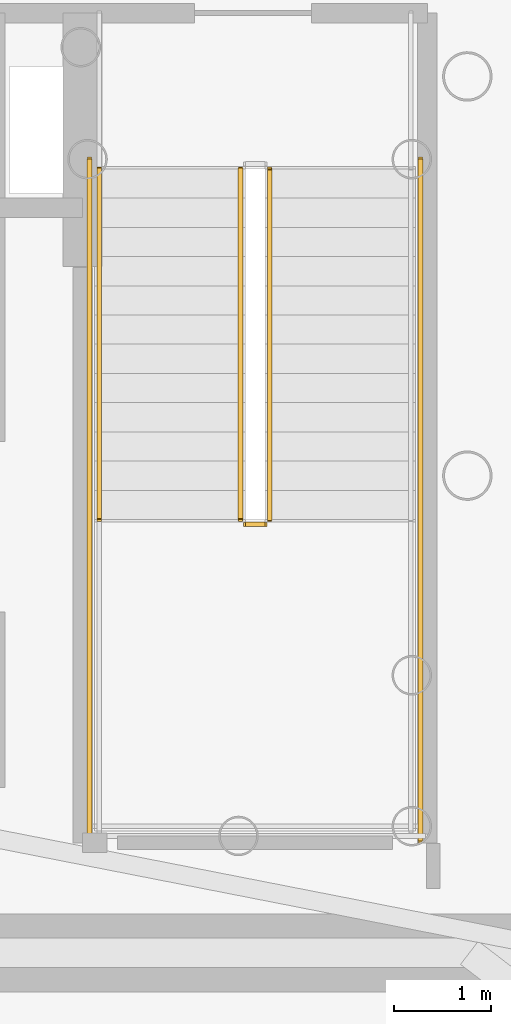
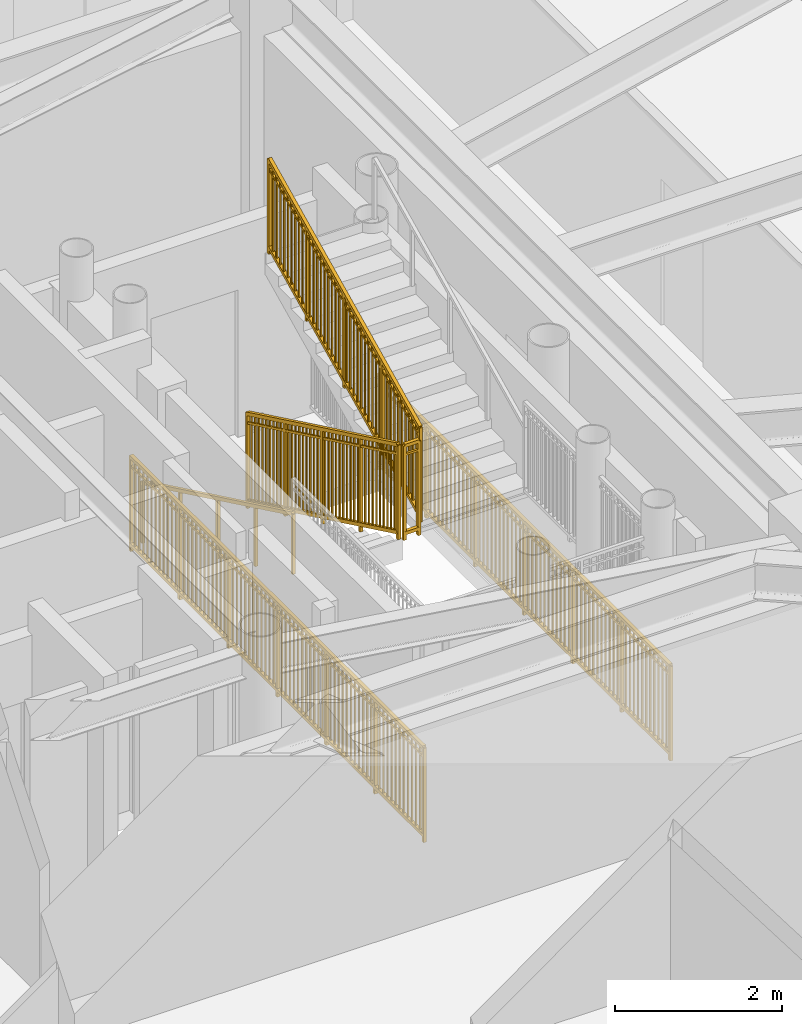
# One storey, part 17 of 18: 6 railings.
"""IFC4 building model written with IfcOpenShell, lengths in metres."""

from ifc_helpers import new_model, si_unit, direction, frame, origin, origin_2d, place, context, subcontext, project, spatial, rectangle, extrude, source, transform, mapped, material, type_object, element, save


model = new_model("IFC4")

# Units and contexts
model_context = context("Model", 3, precision=1e-05, world=origin(), true_north=direction((0.0, 1.0)))
body_context = subcontext(model_context, "Body", "Model", "MODEL_VIEW")
ifc_project = project(units=[si_unit("LENGTHUNIT", "METRE"), si_unit("AREAUNIT", "SQUARE_METRE"), si_unit("VOLUMEUNIT", "CUBIC_METRE"), si_unit("PLANEANGLEUNIT", "RADIAN"), si_unit("MASSUNIT", "GRAM", prefix="KILO")], contexts=[model_context])

# Site, building, storey
site_placement = place(None, origin())
site = spatial("IfcSite", under=ifc_project, at=site_placement, CompositionType="ELEMENT")
building_placement = place(site_placement, origin())
building = spatial("IfcBuilding", under=site, at=building_placement, Name="Linh Dai School and Residence Tower", CompositionType="ELEMENT")
storey_placement = place(building_placement, frame((0.0, 0.0, 123.449951171875)))
storey = spatial("IfcBuildingStorey", under=building, at=storey_placement, Name="L29", CompositionType="ELEMENT", Elevation=123.449951171875)

# Railings
ifc_material_1 = material(Name="Structural Steel S355JR", Category="steel")
railing_type_1 = type_object("IfcRailingType", Name="RL-ST-GUARD-1400", PredefinedType="GUARDRAIL", material=ifc_material_1)
shared_shape_1 = source(origin(), body_context, "Body", "SweptSolid", [
    extrude(rectangle(XDim=0.048095703125, YDim=0.048095703125, at=origin_2d()), frame((0.0, 0.0, 1.3759765625), z_axis=(0.0, 0.901262522062, 0.433273431364), x_axis=(-1.0, 0.0, 0.0)), (0.0, 0.0, 1.0), 3.994384765625),
    extrude(rectangle(XDim=0.048095703125, YDim=0.048095703125, at=origin_2d()), frame((0.0, 0.0, 0.10009765625), z_axis=(0.0, 0.901262522062, 0.433273431364), x_axis=(-1.0, 0.0, 0.0)), (0.0, 0.0, 1.0), 3.994384765625),
    extrude(rectangle(XDim=0.030029296875, YDim=0.030029296875, at=origin_2d()), frame((0.0, 0.0, 1.239990234375), z_axis=(0.0, 0.901262522062, 0.433273431364), x_axis=(-1.0, 0.0, 0.0)), (0.0, 0.0, 1.0), 3.994384765625),
    extrude(rectangle(XDim=0.02001953125, YDim=0.02001953125, at=origin_2d()), frame((0.0, 0.087890625, 0.142333984375)), (0.0, 0.0, 1.0), 1.251708984375),
    extrude(rectangle(XDim=0.02001953125, YDim=0.02001953125, at=origin_2d()), frame((0.0, 0.175537109375, 0.1845703125)), (0.0, 0.0, 1.0), 1.251708984375),
    extrude(rectangle(XDim=0.02001953125, YDim=0.02001953125, at=origin_2d()), frame((0.0, 0.263427734375, 0.226806640625)), (0.0, 0.0, 1.0), 1.251708984375),
    extrude(rectangle(XDim=0.02001953125, YDim=0.02001953125, at=origin_2d()), frame((0.0, 0.351318359375, 0.26904296875)), (0.0, 0.0, 1.0), 1.251708984375),
    extrude(rectangle(XDim=0.02001953125, YDim=0.02001953125, at=origin_2d()), frame((0.0, 0.43896484375, 0.311279296875)), (0.0, 0.0, 1.0), 1.251708984375),
    extrude(rectangle(XDim=0.02001953125, YDim=0.02001953125, at=origin_2d()), frame((0.0, 0.52685546875, 0.353271484375)), (0.0, 0.0, 1.0), 1.251708984375),
    extrude(rectangle(XDim=0.02001953125, YDim=0.02001953125, at=origin_2d()), frame((0.0, 0.61474609375, 0.3955078125)), (0.0, 0.0, 1.0), 1.251708984375),
    extrude(rectangle(XDim=0.02001953125, YDim=0.02001953125, at=origin_2d()), frame((0.0, 0.702392578125, 0.437744140625)), (0.0, 0.0, 1.0), 1.251708984375),
    extrude(rectangle(XDim=0.02001953125, YDim=0.02001953125, at=origin_2d()), frame((0.0, 0.790283203125, 0.47998046875)), (0.0, 0.0, 1.0), 1.251708984375),
    extrude(rectangle(XDim=0.02001953125, YDim=0.02001953125, at=origin_2d()), frame((0.0, 0.9658203125, 0.564453125)), (0.0, 0.0, 1.0), 1.251708984375),
    extrude(rectangle(XDim=0.02001953125, YDim=0.02001953125, at=origin_2d()), frame((0.0, 1.0537109375, 0.606689453125)), (0.0, 0.0, 1.0), 1.251708984375),
    extrude(rectangle(XDim=0.02001953125, YDim=0.02001953125, at=origin_2d()), frame((0.0, 1.1416015625, 0.64892578125)), (0.0, 0.0, 1.0), 1.251708984375),
    extrude(rectangle(XDim=0.02001953125, YDim=0.02001953125, at=origin_2d()), frame((0.0, 1.229248046875, 0.691162109375)), (0.0, 0.0, 1.0), 1.251708984375),
    extrude(rectangle(XDim=0.02001953125, YDim=0.02001953125, at=origin_2d()), frame((0.0, 1.317138671875, 0.7333984375)), (0.0, 0.0, 1.0), 1.251708984375),
    extrude(rectangle(XDim=0.02001953125, YDim=0.02001953125, at=origin_2d()), frame((0.0, 1.405029296875, 0.775390625)), (0.0, 0.0, 1.0), 1.251708984375),
    extrude(rectangle(XDim=0.02001953125, YDim=0.02001953125, at=origin_2d()), frame((0.0, 1.49267578125, 0.817626953125)), (0.0, 0.0, 1.0), 1.251708984375),
    extrude(rectangle(XDim=0.02001953125, YDim=0.02001953125, at=origin_2d()), frame((0.0, 1.58056640625, 0.85986328125)), (0.0, 0.0, 1.0), 1.251708984375),
    extrude(rectangle(XDim=0.02001953125, YDim=0.02001953125, at=origin_2d()), frame((0.0, 1.66845703125, 0.902099609375)), (0.0, 0.0, 1.0), 1.251708984375),
    extrude(rectangle(XDim=0.02001953125, YDim=0.02001953125, at=origin_2d()), frame((0.0, 1.756103515625, 0.9443359375)), (0.0, 0.0, 1.0), 1.251708984375),
    extrude(rectangle(XDim=0.02001953125, YDim=0.02001953125, at=origin_2d()), frame((0.0, 1.843994140625, 0.986572265625)), (0.0, 0.0, 1.0), 1.251708984375),
    extrude(rectangle(XDim=0.02001953125, YDim=0.02001953125, at=origin_2d()), frame((0.0, 1.931640625, 1.02880859375)), (0.0, 0.0, 1.0), 1.251708984375),
    extrude(rectangle(XDim=0.02001953125, YDim=0.02001953125, at=origin_2d()), frame((0.0, 2.01953125, 1.071044921875)), (0.0, 0.0, 1.0), 1.251708984375),
    extrude(rectangle(XDim=0.02001953125, YDim=0.02001953125, at=origin_2d()), frame((0.0, 2.107421875, 1.11328125)), (0.0, 0.0, 1.0), 1.251708984375),
    extrude(rectangle(XDim=0.02001953125, YDim=0.02001953125, at=origin_2d()), frame((0.0, 2.195068359375, 1.155517578125)), (0.0, 0.0, 1.0), 1.251708984375),
    extrude(rectangle(XDim=0.02001953125, YDim=0.02001953125, at=origin_2d()), frame((0.0, 2.282958984375, 1.197509765625)), (0.0, 0.0, 1.0), 1.251708984375),
    extrude(rectangle(XDim=0.02001953125, YDim=0.02001953125, at=origin_2d()), frame((0.0, 2.370849609375, 1.23974609375)), (0.0, 0.0, 1.0), 1.251708984375),
    extrude(rectangle(XDim=0.02001953125, YDim=0.02001953125, at=origin_2d()), frame((0.0, 2.45849609375, 1.281982421875)), (0.0, 0.0, 1.0), 1.251708984375),
    extrude(rectangle(XDim=0.02001953125, YDim=0.02001953125, at=origin_2d()), frame((0.0, 2.54638671875, 1.32421875)), (0.0, 0.0, 1.0), 1.251708984375),
    extrude(rectangle(XDim=0.02001953125, YDim=0.02001953125, at=origin_2d()), frame((0.0, 2.63427734375, 1.366455078125)), (0.0, 0.0, 1.0), 1.251708984375),
    extrude(rectangle(XDim=0.02001953125, YDim=0.02001953125, at=origin_2d()), frame((0.0, 2.809814453125, 1.450927734375)), (0.0, 0.0, 1.0), 1.251708984375),
    extrude(rectangle(XDim=0.02001953125, YDim=0.02001953125, at=origin_2d()), frame((0.0, 2.897705078125, 1.4931640625)), (0.0, 0.0, 1.0), 1.251708984375),
    extrude(rectangle(XDim=0.02001953125, YDim=0.02001953125, at=origin_2d()), frame((0.0, 2.9853515625, 1.535400390625)), (0.0, 0.0, 1.0), 1.251708984375),
    extrude(rectangle(XDim=0.02001953125, YDim=0.02001953125, at=origin_2d()), frame((0.0, 3.0732421875, 1.57763671875)), (0.0, 0.0, 1.0), 1.251708984375),
    extrude(rectangle(XDim=0.02001953125, YDim=0.02001953125, at=origin_2d()), frame((0.0, 3.1611328125, 1.61962890625)), (0.0, 0.0, 1.0), 1.251708984375),
    extrude(rectangle(XDim=0.02001953125, YDim=0.02001953125, at=origin_2d()), frame((0.0, 3.248779296875, 1.661865234375)), (0.0, 0.0, 1.0), 1.251708984375),
    extrude(rectangle(XDim=0.02001953125, YDim=0.02001953125, at=origin_2d()), frame((0.0, 3.336669921875, 1.7041015625)), (0.0, 0.0, 1.0), 1.251708984375),
    extrude(rectangle(XDim=0.02001953125, YDim=0.02001953125, at=origin_2d()), frame((0.0, 3.424560546875, 1.746337890625)), (0.0, 0.0, 1.0), 1.251708984375),
    extrude(rectangle(XDim=0.02001953125, YDim=0.02001953125, at=origin_2d()), frame((0.0, 3.51220703125, 1.78857421875)), (0.0, 0.0, 1.0), 1.251708984375),
    extrude(rectangle(XDim=0.0419921875, YDim=0.0419921875, at=origin_2d()), origin(), (0.0, 0.0, 1.0), 1.3759765625),
    extrude(rectangle(XDim=0.0419921875, YDim=0.0419921875, at=origin_2d()), frame((0.0, 0.89990234375, 0.4326171875)), (0.0, 0.0, 1.0), 1.3759765625),
    extrude(rectangle(XDim=0.0419921875, YDim=0.0419921875, at=origin_2d()), frame((0.0, 1.800048828125, 0.865234375)), (0.0, 0.0, 1.0), 1.3759765625),
    extrude(rectangle(XDim=0.0419921875, YDim=0.0419921875, at=origin_2d()), frame((0.0, 2.7001953125, 1.298095703125)), (0.0, 0.0, 1.0), 1.3759765625),
    extrude(rectangle(XDim=0.0419921875, YDim=0.0419921875, at=origin_2d()), frame((0.0, 3.60009765625, 1.730712890625)), (0.0, 0.0, 1.0), 1.3759765625),
])
railing_1_placement = place(storey_placement, frame((42.820068359375, 24.64990234375, 2.019287109375)))
element("IfcRailing", 1, at=railing_1_placement, inside=storey, type_object=railing_type_1, Name="L29 ST2 stair guard 6", PredefinedType="GUARDRAIL", context=body_context, shape_type="MappedRepresentation", body=[
    mapped(shared_shape_1, transform((0.0, 0.0, 0.0), x_axis=(1.0, 0.0, 0.0), y_axis=(0.0, 1.0, 0.0), z_axis=(0.0, 0.0, 1.0), scale=1.0)),
])
shared_shape_2 = source(origin(), body_context, "Body", "SweptSolid", [
    extrude(rectangle(XDim=0.048095703125, YDim=0.048095703125, at=origin_2d()), frame((0.0, 0.0, 1.3759765625), z_axis=(0.0, -0.901262522062, 0.433273431364), x_axis=(1.0, 0.0, 0.0)), (0.0, 0.0, 1.0), 3.994384765625),
    extrude(rectangle(XDim=0.048095703125, YDim=0.048095703125, at=origin_2d()), frame((0.0, 0.0, 0.10009765625), z_axis=(0.0, -0.901262522062, 0.433273431364), x_axis=(1.0, 0.0, 0.0)), (0.0, 0.0, 1.0), 3.994384765625),
    extrude(rectangle(XDim=0.030029296875, YDim=0.030029296875, at=origin_2d()), frame((0.0, 0.0, 1.239990234375), z_axis=(0.0, -0.901262522062, 0.433273431364), x_axis=(1.0, 0.0, 0.0)), (0.0, 0.0, 1.0), 3.994384765625),
    extrude(rectangle(XDim=0.02001953125, YDim=0.02001953125, at=origin_2d()), frame((0.0, -0.087890625, 0.142333984375)), (0.0, 0.0, 1.0), 1.251708984375),
    extrude(rectangle(XDim=0.02001953125, YDim=0.02001953125, at=origin_2d()), frame((0.0, -0.175537109375, 0.1845703125)), (0.0, 0.0, 1.0), 1.251708984375),
    extrude(rectangle(XDim=0.02001953125, YDim=0.02001953125, at=origin_2d()), frame((0.0, -0.263427734375, 0.226806640625)), (0.0, 0.0, 1.0), 1.251708984375),
    extrude(rectangle(XDim=0.02001953125, YDim=0.02001953125, at=origin_2d()), frame((0.0, -0.351318359375, 0.26904296875)), (0.0, 0.0, 1.0), 1.251708984375),
    extrude(rectangle(XDim=0.02001953125, YDim=0.02001953125, at=origin_2d()), frame((0.0, -0.43896484375, 0.311279296875)), (0.0, 0.0, 1.0), 1.251708984375),
    extrude(rectangle(XDim=0.02001953125, YDim=0.02001953125, at=origin_2d()), frame((0.0, -0.52685546875, 0.353271484375)), (0.0, 0.0, 1.0), 1.251708984375),
    extrude(rectangle(XDim=0.02001953125, YDim=0.02001953125, at=origin_2d()), frame((0.0, -0.61474609375, 0.3955078125)), (0.0, 0.0, 1.0), 1.251708984375),
    extrude(rectangle(XDim=0.02001953125, YDim=0.02001953125, at=origin_2d()), frame((0.0, -0.702392578125, 0.437744140625)), (0.0, 0.0, 1.0), 1.251708984375),
    extrude(rectangle(XDim=0.02001953125, YDim=0.02001953125, at=origin_2d()), frame((0.0, -0.790283203125, 0.47998046875)), (0.0, 0.0, 1.0), 1.251708984375),
    extrude(rectangle(XDim=0.02001953125, YDim=0.02001953125, at=origin_2d()), frame((0.0, -0.9658203125, 0.564453125)), (0.0, 0.0, 1.0), 1.251708984375),
    extrude(rectangle(XDim=0.02001953125, YDim=0.02001953125, at=origin_2d()), frame((0.0, -1.0537109375, 0.606689453125)), (0.0, 0.0, 1.0), 1.251708984375),
    extrude(rectangle(XDim=0.02001953125, YDim=0.02001953125, at=origin_2d()), frame((0.0, -1.1416015625, 0.64892578125)), (0.0, 0.0, 1.0), 1.251708984375),
    extrude(rectangle(XDim=0.02001953125, YDim=0.02001953125, at=origin_2d()), frame((0.0, -1.229248046875, 0.691162109375)), (0.0, 0.0, 1.0), 1.251708984375),
    extrude(rectangle(XDim=0.02001953125, YDim=0.02001953125, at=origin_2d()), frame((0.0, -1.317138671875, 0.7333984375)), (0.0, 0.0, 1.0), 1.251708984375),
    extrude(rectangle(XDim=0.02001953125, YDim=0.02001953125, at=origin_2d()), frame((0.0, -1.405029296875, 0.775390625)), (0.0, 0.0, 1.0), 1.251708984375),
    extrude(rectangle(XDim=0.02001953125, YDim=0.02001953125, at=origin_2d()), frame((0.0, -1.49267578125, 0.817626953125)), (0.0, 0.0, 1.0), 1.251708984375),
    extrude(rectangle(XDim=0.02001953125, YDim=0.02001953125, at=origin_2d()), frame((0.0, -1.58056640625, 0.85986328125)), (0.0, 0.0, 1.0), 1.251708984375),
    extrude(rectangle(XDim=0.02001953125, YDim=0.02001953125, at=origin_2d()), frame((0.0, -1.66845703125, 0.902099609375)), (0.0, 0.0, 1.0), 1.251708984375),
    extrude(rectangle(XDim=0.02001953125, YDim=0.02001953125, at=origin_2d()), frame((0.0, -1.756103515625, 0.9443359375)), (0.0, 0.0, 1.0), 1.251708984375),
    extrude(rectangle(XDim=0.02001953125, YDim=0.02001953125, at=origin_2d()), frame((0.0, -1.843994140625, 0.986572265625)), (0.0, 0.0, 1.0), 1.251708984375),
    extrude(rectangle(XDim=0.02001953125, YDim=0.02001953125, at=origin_2d()), frame((0.0, -1.931640625, 1.02880859375)), (0.0, 0.0, 1.0), 1.251708984375),
    extrude(rectangle(XDim=0.02001953125, YDim=0.02001953125, at=origin_2d()), frame((0.0, -2.01953125, 1.071044921875)), (0.0, 0.0, 1.0), 1.251708984375),
    extrude(rectangle(XDim=0.02001953125, YDim=0.02001953125, at=origin_2d()), frame((0.0, -2.107421875, 1.11328125)), (0.0, 0.0, 1.0), 1.251708984375),
    extrude(rectangle(XDim=0.02001953125, YDim=0.02001953125, at=origin_2d()), frame((0.0, -2.195068359375, 1.155517578125)), (0.0, 0.0, 1.0), 1.251708984375),
    extrude(rectangle(XDim=0.02001953125, YDim=0.02001953125, at=origin_2d()), frame((0.0, -2.282958984375, 1.197509765625)), (0.0, 0.0, 1.0), 1.251708984375),
    extrude(rectangle(XDim=0.02001953125, YDim=0.02001953125, at=origin_2d()), frame((0.0, -2.370849609375, 1.23974609375)), (0.0, 0.0, 1.0), 1.251708984375),
    extrude(rectangle(XDim=0.02001953125, YDim=0.02001953125, at=origin_2d()), frame((0.0, -2.45849609375, 1.281982421875)), (0.0, 0.0, 1.0), 1.251708984375),
    extrude(rectangle(XDim=0.02001953125, YDim=0.02001953125, at=origin_2d()), frame((0.0, -2.54638671875, 1.32421875)), (0.0, 0.0, 1.0), 1.251708984375),
    extrude(rectangle(XDim=0.02001953125, YDim=0.02001953125, at=origin_2d()), frame((0.0, -2.63427734375, 1.366455078125)), (0.0, 0.0, 1.0), 1.251708984375),
    extrude(rectangle(XDim=0.02001953125, YDim=0.02001953125, at=origin_2d()), frame((0.0, -2.809814453125, 1.450927734375)), (0.0, 0.0, 1.0), 1.251708984375),
    extrude(rectangle(XDim=0.02001953125, YDim=0.02001953125, at=origin_2d()), frame((0.0, -2.897705078125, 1.4931640625)), (0.0, 0.0, 1.0), 1.251708984375),
    extrude(rectangle(XDim=0.02001953125, YDim=0.02001953125, at=origin_2d()), frame((0.0, -2.9853515625, 1.535400390625)), (0.0, 0.0, 1.0), 1.251708984375),
    extrude(rectangle(XDim=0.02001953125, YDim=0.02001953125, at=origin_2d()), frame((0.0, -3.0732421875, 1.57763671875)), (0.0, 0.0, 1.0), 1.251708984375),
    extrude(rectangle(XDim=0.02001953125, YDim=0.02001953125, at=origin_2d()), frame((0.0, -3.1611328125, 1.61962890625)), (0.0, 0.0, 1.0), 1.251708984375),
    extrude(rectangle(XDim=0.02001953125, YDim=0.02001953125, at=origin_2d()), frame((0.0, -3.248779296875, 1.661865234375)), (0.0, 0.0, 1.0), 1.251708984375),
    extrude(rectangle(XDim=0.02001953125, YDim=0.02001953125, at=origin_2d()), frame((0.0, -3.336669921875, 1.7041015625)), (0.0, 0.0, 1.0), 1.251708984375),
    extrude(rectangle(XDim=0.02001953125, YDim=0.02001953125, at=origin_2d()), frame((0.0, -3.424560546875, 1.746337890625)), (0.0, 0.0, 1.0), 1.251708984375),
    extrude(rectangle(XDim=0.02001953125, YDim=0.02001953125, at=origin_2d()), frame((0.0, -3.51220703125, 1.78857421875)), (0.0, 0.0, 1.0), 1.251708984375),
    extrude(rectangle(XDim=0.0419921875, YDim=0.0419921875, at=origin_2d()), origin(), (0.0, 0.0, 1.0), 1.3759765625),
    extrude(rectangle(XDim=0.0419921875, YDim=0.0419921875, at=origin_2d()), frame((0.0, -0.89990234375, 0.4326171875)), (0.0, 0.0, 1.0), 1.3759765625),
    extrude(rectangle(XDim=0.0419921875, YDim=0.0419921875, at=origin_2d()), frame((0.0, -1.800048828125, 0.865234375)), (0.0, 0.0, 1.0), 1.3759765625),
    extrude(rectangle(XDim=0.0419921875, YDim=0.0419921875, at=origin_2d()), frame((0.0, -2.7001953125, 1.298095703125)), (0.0, 0.0, 1.0), 1.3759765625),
    extrude(rectangle(XDim=0.0419921875, YDim=0.0419921875, at=origin_2d()), frame((0.0, -3.60009765625, 1.730712890625)), (0.0, 0.0, 1.0), 1.3759765625),
])
railing_2_placement = place(storey_placement, frame((42.52001953125, 28.25, 0.144287109375)))
element("IfcRailing", 2, at=railing_2_placement, inside=storey, type_object=railing_type_1, Name="L29 ST2 stair guard 1", PredefinedType="GUARDRAIL", context=body_context, shape_type="MappedRepresentation", body=[
    mapped(shared_shape_2, transform((0.0, 0.0, 0.0), x_axis=(1.0, 0.0, 0.0), y_axis=(0.0, 1.0, 0.0), z_axis=(0.0, 0.0, 1.0), scale=1.0)),
])
ifc_material_2 = material(Name="Brushed Stainless Steel Handrail", Category="steel")
railing_type_2 = type_object("IfcRailingType", Name="RL-ST-HANDRAIL-900", PredefinedType="HANDRAIL", material=ifc_material_2)
shared_shape_3 = source(origin(), body_context, "Body", "SweptSolid", [
    extrude(rectangle(XDim=0.048095703125, YDim=0.048095703125, at=origin_2d()), frame((0.0, 0.0, 0.8759765625), z_axis=(0.0, -0.901262522062, 0.433273431364), x_axis=(1.0, 0.0, 0.0)), (0.0, 0.0, 1.0), 3.994384765625),
    extrude(rectangle(XDim=0.0419921875, YDim=0.0419921875, at=origin_2d()), origin(), (0.0, 0.0, 1.0), 0.8759765625),
    extrude(rectangle(XDim=0.0419921875, YDim=0.0419921875, at=origin_2d()), frame((0.0, -0.89990234375, 0.4326171875)), (0.0, 0.0, 1.0), 0.8759765625),
    extrude(rectangle(XDim=0.0419921875, YDim=0.0419921875, at=origin_2d()), frame((0.0, -1.800048828125, 0.865234375)), (0.0, 0.0, 1.0), 0.8759765625),
    extrude(rectangle(XDim=0.0419921875, YDim=0.0419921875, at=origin_2d()), frame((0.0, -2.7001953125, 1.298095703125)), (0.0, 0.0, 1.0), 0.8759765625),
    extrude(rectangle(XDim=0.0419921875, YDim=0.0419921875, at=origin_2d()), frame((0.0, -3.60009765625, 1.730712890625)), (0.0, 0.0, 1.0), 0.8759765625),
])
railing_3_placement = place(storey_placement, frame((41.070068359375, 28.25, 0.144287109375)))
element("IfcRailing", 3, at=railing_3_placement, inside=storey, type_object=railing_type_2, Name="L29 ST2 stair handrail 1", PredefinedType="HANDRAIL", context=body_context, shape_type="MappedRepresentation", body=[
    mapped(shared_shape_3, transform((0.0, 0.0, 0.0), x_axis=(1.0, 0.0, 0.0), y_axis=(0.0, 1.0, 0.0), z_axis=(0.0, 0.0, 1.0), scale=1.0)),
])
shared_shape_4 = source(origin(), body_context, "Body", "SweptSolid", [
    extrude(rectangle(XDim=0.048095703125, YDim=0.048095703125, at=origin_2d()), frame((0.0, 0.0, 1.3759765625), z_axis=(1.0, 0.0, 0.0), x_axis=(0.0, 1.0, 0.0)), (0.0, 0.0, 1.0), 0.199951171875),
    extrude(rectangle(XDim=0.048095703125, YDim=0.048095703125, at=origin_2d()), frame((0.0, 0.0, 0.10009765625), z_axis=(1.0, 0.0, 0.0), x_axis=(0.0, 1.0, 0.0)), (0.0, 0.0, 1.0), 0.199951171875),
    extrude(rectangle(XDim=0.030029296875, YDim=0.030029296875, at=origin_2d()), frame((0.0, 0.0, 1.239990234375), z_axis=(1.0, 0.0, 0.0), x_axis=(0.0, 1.0, 0.0)), (0.0, 0.0, 1.0), 0.199951171875),
    extrude(rectangle(XDim=0.0419921875, YDim=0.0419921875, at=origin_2d()), origin(), (0.0, 0.0, 1.0), 1.3759765625),
    extrude(rectangle(XDim=0.0419921875, YDim=0.0419921875, at=origin_2d()), frame((0.199951171875, 0.0, 0.0)), (0.0, 0.0, 1.0), 1.3759765625),
])
railing_4_placement = place(storey_placement, frame((42.570068359375, 24.60009765625, 1.875)))
element("IfcRailing", 4, at=railing_4_placement, inside=storey, type_object=railing_type_1, Name="L29 ST2 stair guard 2", PredefinedType="GUARDRAIL", context=body_context, shape_type="MappedRepresentation", body=[
    mapped(shared_shape_4, transform((0.0, 0.0, 0.0), x_axis=(1.0, 0.0, 0.0), y_axis=(0.0, 1.0, 0.0), z_axis=(0.0, 0.0, 1.0), scale=1.0)),
])
shared_shape_5 = source(origin(), body_context, "Body", "SweptSolid", [
    extrude(rectangle(XDim=0.048095703125, YDim=0.048095703125, at=origin_2d()), frame((0.0, 0.0, 1.3759765625), z_axis=(0.0, -1.0, 0.0), x_axis=(1.0, 0.0, 0.0)), (0.0, 0.0, 1.0), 7.0),
    extrude(rectangle(XDim=0.048095703125, YDim=0.048095703125, at=origin_2d()), frame((0.0, 0.0, 0.10009765625), z_axis=(0.0, -1.0, 0.0), x_axis=(1.0, 0.0, 0.0)), (0.0, 0.0, 1.0), 7.0),
    extrude(rectangle(XDim=0.030029296875, YDim=0.030029296875, at=origin_2d()), frame((0.0, 0.0, 1.239990234375), z_axis=(0.0, -1.0, 0.0), x_axis=(1.0, 0.0, 0.0)), (0.0, 0.0, 1.0), 7.0),
    extrude(rectangle(XDim=0.02001953125, YDim=0.02001953125, at=origin_2d()), frame((0.0, -0.09716796875, 0.10009765625)), (0.0, 0.0, 1.0), 1.251708984375),
    extrude(rectangle(XDim=0.02001953125, YDim=0.02001953125, at=origin_2d()), frame((0.0, -0.1943359375, 0.10009765625)), (0.0, 0.0, 1.0), 1.251708984375),
    extrude(rectangle(XDim=0.02001953125, YDim=0.02001953125, at=origin_2d()), frame((0.0, -0.291748046875, 0.10009765625)), (0.0, 0.0, 1.0), 1.251708984375),
    extrude(rectangle(XDim=0.02001953125, YDim=0.02001953125, at=origin_2d()), frame((0.0, -0.388916015625, 0.10009765625)), (0.0, 0.0, 1.0), 1.251708984375),
    extrude(rectangle(XDim=0.02001953125, YDim=0.02001953125, at=origin_2d()), frame((0.0, -0.486083984375, 0.10009765625)), (0.0, 0.0, 1.0), 1.251708984375),
    extrude(rectangle(XDim=0.02001953125, YDim=0.02001953125, at=origin_2d()), frame((0.0, -0.583251953125, 0.10009765625)), (0.0, 0.0, 1.0), 1.251708984375),
    extrude(rectangle(XDim=0.02001953125, YDim=0.02001953125, at=origin_2d()), frame((0.0, -0.6806640625, 0.10009765625)), (0.0, 0.0, 1.0), 1.251708984375),
    extrude(rectangle(XDim=0.02001953125, YDim=0.02001953125, at=origin_2d()), frame((0.0, -0.77783203125, 0.10009765625)), (0.0, 0.0, 1.0), 1.251708984375),
    extrude(rectangle(XDim=0.02001953125, YDim=0.02001953125, at=origin_2d()), frame((0.0, -0.875, 0.10009765625)), (0.0, 0.0, 1.0), 1.251708984375),
    extrude(rectangle(XDim=0.02001953125, YDim=0.02001953125, at=origin_2d()), frame((0.0, -0.97216796875, 0.10009765625)), (0.0, 0.0, 1.0), 1.251708984375),
    extrude(rectangle(XDim=0.02001953125, YDim=0.02001953125, at=origin_2d()), frame((0.0, -1.0693359375, 0.10009765625)), (0.0, 0.0, 1.0), 1.251708984375),
    extrude(rectangle(XDim=0.02001953125, YDim=0.02001953125, at=origin_2d()), frame((0.0, -1.263916015625, 0.10009765625)), (0.0, 0.0, 1.0), 1.251708984375),
    extrude(rectangle(XDim=0.02001953125, YDim=0.02001953125, at=origin_2d()), frame((0.0, -1.361083984375, 0.10009765625)), (0.0, 0.0, 1.0), 1.251708984375),
    extrude(rectangle(XDim=0.02001953125, YDim=0.02001953125, at=origin_2d()), frame((0.0, -1.458251953125, 0.10009765625)), (0.0, 0.0, 1.0), 1.251708984375),
    extrude(rectangle(XDim=0.02001953125, YDim=0.02001953125, at=origin_2d()), frame((0.0, -1.5556640625, 0.10009765625)), (0.0, 0.0, 1.0), 1.251708984375),
    extrude(rectangle(XDim=0.02001953125, YDim=0.02001953125, at=origin_2d()), frame((0.0, -1.65283203125, 0.10009765625)), (0.0, 0.0, 1.0), 1.251708984375),
    extrude(rectangle(XDim=0.02001953125, YDim=0.02001953125, at=origin_2d()), frame((0.0, -1.75, 0.10009765625)), (0.0, 0.0, 1.0), 1.251708984375),
    extrude(rectangle(XDim=0.02001953125, YDim=0.02001953125, at=origin_2d()), frame((0.0, -1.84716796875, 0.10009765625)), (0.0, 0.0, 1.0), 1.251708984375),
    extrude(rectangle(XDim=0.02001953125, YDim=0.02001953125, at=origin_2d()), frame((0.0, -1.9443359375, 0.10009765625)), (0.0, 0.0, 1.0), 1.251708984375),
    extrude(rectangle(XDim=0.02001953125, YDim=0.02001953125, at=origin_2d()), frame((0.0, -2.041748046875, 0.10009765625)), (0.0, 0.0, 1.0), 1.251708984375),
    extrude(rectangle(XDim=0.02001953125, YDim=0.02001953125, at=origin_2d()), frame((0.0, -2.138916015625, 0.10009765625)), (0.0, 0.0, 1.0), 1.251708984375),
    extrude(rectangle(XDim=0.02001953125, YDim=0.02001953125, at=origin_2d()), frame((0.0, -2.236083984375, 0.10009765625)), (0.0, 0.0, 1.0), 1.251708984375),
    extrude(rectangle(XDim=0.02001953125, YDim=0.02001953125, at=origin_2d()), frame((0.0, -2.4306640625, 0.10009765625)), (0.0, 0.0, 1.0), 1.251708984375),
    extrude(rectangle(XDim=0.02001953125, YDim=0.02001953125, at=origin_2d()), frame((0.0, -2.52783203125, 0.10009765625)), (0.0, 0.0, 1.0), 1.251708984375),
    extrude(rectangle(XDim=0.02001953125, YDim=0.02001953125, at=origin_2d()), frame((0.0, -2.625, 0.10009765625)), (0.0, 0.0, 1.0), 1.251708984375),
    extrude(rectangle(XDim=0.02001953125, YDim=0.02001953125, at=origin_2d()), frame((0.0, -2.72216796875, 0.10009765625)), (0.0, 0.0, 1.0), 1.251708984375),
    extrude(rectangle(XDim=0.02001953125, YDim=0.02001953125, at=origin_2d()), frame((0.0, -2.8193359375, 0.10009765625)), (0.0, 0.0, 1.0), 1.251708984375),
    extrude(rectangle(XDim=0.02001953125, YDim=0.02001953125, at=origin_2d()), frame((0.0, -2.916748046875, 0.10009765625)), (0.0, 0.0, 1.0), 1.251708984375),
    extrude(rectangle(XDim=0.02001953125, YDim=0.02001953125, at=origin_2d()), frame((0.0, -3.013916015625, 0.10009765625)), (0.0, 0.0, 1.0), 1.251708984375),
    extrude(rectangle(XDim=0.02001953125, YDim=0.02001953125, at=origin_2d()), frame((0.0, -3.111083984375, 0.10009765625)), (0.0, 0.0, 1.0), 1.251708984375),
    extrude(rectangle(XDim=0.02001953125, YDim=0.02001953125, at=origin_2d()), frame((0.0, -3.208251953125, 0.10009765625)), (0.0, 0.0, 1.0), 1.251708984375),
    extrude(rectangle(XDim=0.02001953125, YDim=0.02001953125, at=origin_2d()), frame((0.0, -3.3056640625, 0.10009765625)), (0.0, 0.0, 1.0), 1.251708984375),
    extrude(rectangle(XDim=0.02001953125, YDim=0.02001953125, at=origin_2d()), frame((0.0, -3.40283203125, 0.10009765625)), (0.0, 0.0, 1.0), 1.251708984375),
    extrude(rectangle(XDim=0.02001953125, YDim=0.02001953125, at=origin_2d()), frame((0.0, -3.59716796875, 0.10009765625)), (0.0, 0.0, 1.0), 1.251708984375),
    extrude(rectangle(XDim=0.02001953125, YDim=0.02001953125, at=origin_2d()), frame((0.0, -3.6943359375, 0.10009765625)), (0.0, 0.0, 1.0), 1.251708984375),
    extrude(rectangle(XDim=0.02001953125, YDim=0.02001953125, at=origin_2d()), frame((0.0, -3.791748046875, 0.10009765625)), (0.0, 0.0, 1.0), 1.251708984375),
    extrude(rectangle(XDim=0.02001953125, YDim=0.02001953125, at=origin_2d()), frame((0.0, -3.888916015625, 0.10009765625)), (0.0, 0.0, 1.0), 1.251708984375),
    extrude(rectangle(XDim=0.02001953125, YDim=0.02001953125, at=origin_2d()), frame((0.0, -3.986083984375, 0.10009765625)), (0.0, 0.0, 1.0), 1.251708984375),
    extrude(rectangle(XDim=0.02001953125, YDim=0.02001953125, at=origin_2d()), frame((0.0, -4.083251953125, 0.10009765625)), (0.0, 0.0, 1.0), 1.251708984375),
    extrude(rectangle(XDim=0.02001953125, YDim=0.02001953125, at=origin_2d()), frame((0.0, -4.1806640625, 0.10009765625)), (0.0, 0.0, 1.0), 1.251708984375),
    extrude(rectangle(XDim=0.02001953125, YDim=0.02001953125, at=origin_2d()), frame((0.0, -4.27783203125, 0.10009765625)), (0.0, 0.0, 1.0), 1.251708984375),
    extrude(rectangle(XDim=0.02001953125, YDim=0.02001953125, at=origin_2d()), frame((0.0, -4.375, 0.10009765625)), (0.0, 0.0, 1.0), 1.251708984375),
    extrude(rectangle(XDim=0.02001953125, YDim=0.02001953125, at=origin_2d()), frame((0.0, -4.47216796875, 0.10009765625)), (0.0, 0.0, 1.0), 1.251708984375),
    extrude(rectangle(XDim=0.02001953125, YDim=0.02001953125, at=origin_2d()), frame((0.0, -4.5693359375, 0.10009765625)), (0.0, 0.0, 1.0), 1.251708984375),
    extrude(rectangle(XDim=0.02001953125, YDim=0.02001953125, at=origin_2d()), frame((0.0, -4.763916015625, 0.10009765625)), (0.0, 0.0, 1.0), 1.251708984375),
    extrude(rectangle(XDim=0.02001953125, YDim=0.02001953125, at=origin_2d()), frame((0.0, -4.861083984375, 0.10009765625)), (0.0, 0.0, 1.0), 1.251708984375),
    extrude(rectangle(XDim=0.02001953125, YDim=0.02001953125, at=origin_2d()), frame((0.0, -4.958251953125, 0.10009765625)), (0.0, 0.0, 1.0), 1.251708984375),
    extrude(rectangle(XDim=0.02001953125, YDim=0.02001953125, at=origin_2d()), frame((0.0, -5.0556640625, 0.10009765625)), (0.0, 0.0, 1.0), 1.251708984375),
    extrude(rectangle(XDim=0.02001953125, YDim=0.02001953125, at=origin_2d()), frame((0.0, -5.15283203125, 0.10009765625)), (0.0, 0.0, 1.0), 1.251708984375),
    extrude(rectangle(XDim=0.02001953125, YDim=0.02001953125, at=origin_2d()), frame((0.0, -5.25, 0.10009765625)), (0.0, 0.0, 1.0), 1.251708984375),
    extrude(rectangle(XDim=0.02001953125, YDim=0.02001953125, at=origin_2d()), frame((0.0, -5.34716796875, 0.10009765625)), (0.0, 0.0, 1.0), 1.251708984375),
    extrude(rectangle(XDim=0.02001953125, YDim=0.02001953125, at=origin_2d()), frame((0.0, -5.4443359375, 0.10009765625)), (0.0, 0.0, 1.0), 1.251708984375),
    extrude(rectangle(XDim=0.02001953125, YDim=0.02001953125, at=origin_2d()), frame((0.0, -5.541748046875, 0.10009765625)), (0.0, 0.0, 1.0), 1.251708984375),
    extrude(rectangle(XDim=0.02001953125, YDim=0.02001953125, at=origin_2d()), frame((0.0, -5.638916015625, 0.10009765625)), (0.0, 0.0, 1.0), 1.251708984375),
    extrude(rectangle(XDim=0.02001953125, YDim=0.02001953125, at=origin_2d()), frame((0.0, -5.736083984375, 0.10009765625)), (0.0, 0.0, 1.0), 1.251708984375),
    extrude(rectangle(XDim=0.02001953125, YDim=0.02001953125, at=origin_2d()), frame((0.0, -5.9306640625, 0.10009765625)), (0.0, 0.0, 1.0), 1.251708984375),
    extrude(rectangle(XDim=0.02001953125, YDim=0.02001953125, at=origin_2d()), frame((0.0, -6.02783203125, 0.10009765625)), (0.0, 0.0, 1.0), 1.251708984375),
    extrude(rectangle(XDim=0.02001953125, YDim=0.02001953125, at=origin_2d()), frame((0.0, -6.125, 0.10009765625)), (0.0, 0.0, 1.0), 1.251708984375),
    extrude(rectangle(XDim=0.02001953125, YDim=0.02001953125, at=origin_2d()), frame((0.0, -6.22216796875, 0.10009765625)), (0.0, 0.0, 1.0), 1.251708984375),
    extrude(rectangle(XDim=0.02001953125, YDim=0.02001953125, at=origin_2d()), frame((0.0, -6.3193359375, 0.10009765625)), (0.0, 0.0, 1.0), 1.251708984375),
    extrude(rectangle(XDim=0.02001953125, YDim=0.02001953125, at=origin_2d()), frame((0.0, -6.416748046875, 0.10009765625)), (0.0, 0.0, 1.0), 1.251708984375),
    extrude(rectangle(XDim=0.02001953125, YDim=0.02001953125, at=origin_2d()), frame((0.0, -6.513916015625, 0.10009765625)), (0.0, 0.0, 1.0), 1.251708984375),
    extrude(rectangle(XDim=0.02001953125, YDim=0.02001953125, at=origin_2d()), frame((0.0, -6.611083984375, 0.10009765625)), (0.0, 0.0, 1.0), 1.251708984375),
    extrude(rectangle(XDim=0.02001953125, YDim=0.02001953125, at=origin_2d()), frame((0.0, -6.708251953125, 0.10009765625)), (0.0, 0.0, 1.0), 1.251708984375),
    extrude(rectangle(XDim=0.02001953125, YDim=0.02001953125, at=origin_2d()), frame((0.0, -6.8056640625, 0.10009765625)), (0.0, 0.0, 1.0), 1.251708984375),
    extrude(rectangle(XDim=0.02001953125, YDim=0.02001953125, at=origin_2d()), frame((0.0, -6.90283203125, 0.10009765625)), (0.0, 0.0, 1.0), 1.251708984375),
    extrude(rectangle(XDim=0.0419921875, YDim=0.0419921875, at=origin_2d()), origin(), (0.0, 0.0, 1.0), 1.3759765625),
    extrude(rectangle(XDim=0.0419921875, YDim=0.0419921875, at=origin_2d()), frame((0.0, -1.166748046875, 0.0)), (0.0, 0.0, 1.0), 1.3759765625),
    extrude(rectangle(XDim=0.0419921875, YDim=0.0419921875, at=origin_2d()), frame((0.0, -2.333251953125, 0.0)), (0.0, 0.0, 1.0), 1.3759765625),
    extrude(rectangle(XDim=0.0419921875, YDim=0.0419921875, at=origin_2d()), frame((0.0, -3.5, 0.0)), (0.0, 0.0, 1.0), 1.3759765625),
    extrude(rectangle(XDim=0.0419921875, YDim=0.0419921875, at=origin_2d()), frame((0.0, -4.666748046875, 0.0)), (0.0, 0.0, 1.0), 1.3759765625),
    extrude(rectangle(XDim=0.0419921875, YDim=0.0419921875, at=origin_2d()), frame((0.0, -5.833251953125, 0.0)), (0.0, 0.0, 1.0), 1.3759765625),
    extrude(rectangle(XDim=0.0419921875, YDim=0.0419921875, at=origin_2d()), frame((0.0, -7.0, 0.0)), (0.0, 0.0, 1.0), 1.3759765625),
])
for number, where, name in (
    (5, (40.969970703125, 28.35009765625, 0.0), "L29 ST2 stair guard 10"),
    (6, (44.3701171875, 28.35009765625, 0.0), "L29 ST2 stair guard 11"),
):
    element("IfcRailing", number, at=place(storey_placement, frame(where)), inside=storey, type_object=railing_type_1, Name=name, PredefinedType="GUARDRAIL", context=body_context, shape_type="MappedRepresentation", body=[
        mapped(shared_shape_5, transform((0.0, 0.0, 0.0), x_axis=(1.0, 0.0, 0.0), y_axis=(0.0, 1.0, 0.0), z_axis=(0.0, 0.0, 1.0), scale=1.0)),
    ])

save(model, "model.ifc")
